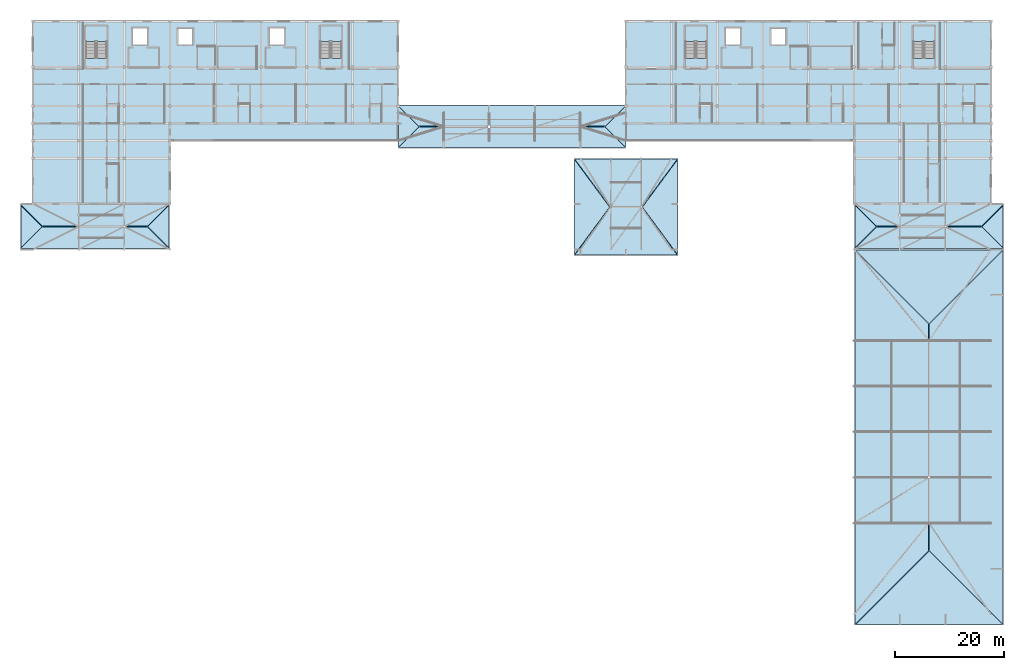
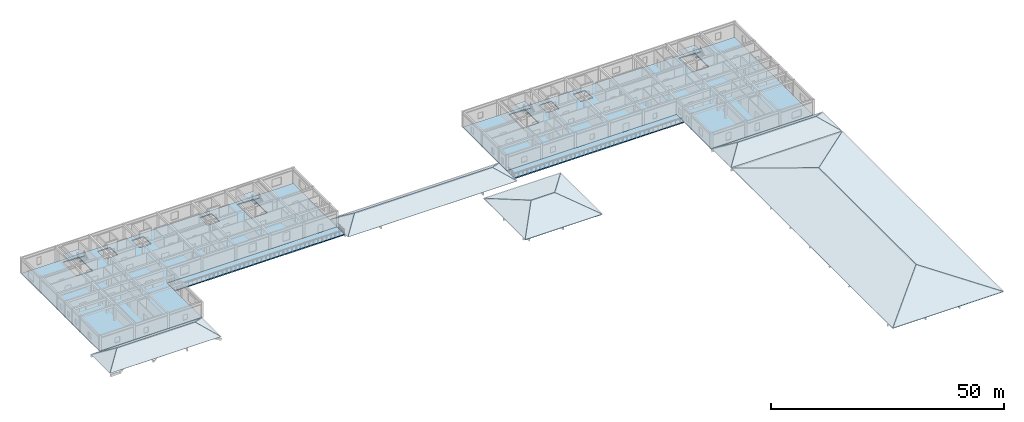
# One storey, part 7 of 26: 28 slabs, 4 elements without a shape of their own.
"""IFC4 building model written with IfcOpenShell, lengths in metres."""

from ifc_helpers import new_model, si_unit, direction, frame, origin, place, context, subcontext, project, spatial, polyline, outline, extrude, material, layer, layer_set, type_object, element, aggregate, save


model = new_model("IFC4")

# Units and contexts
model_context = context("Model", 3, precision=1e-05, world=origin(), true_north=direction((0.0, 1.0)))
body_context = subcontext(model_context, "Body", "Model", "MODEL_VIEW")
ifc_project = project(units=[si_unit("LENGTHUNIT", "METRE"), si_unit("AREAUNIT", "SQUARE_METRE"), si_unit("VOLUMEUNIT", "CUBIC_METRE"), si_unit("PLANEANGLEUNIT", "RADIAN"), si_unit("MASSUNIT", "GRAM", prefix="KILO")], contexts=[model_context])

# Site, building, storey
site_placement = place(None, origin())
site = spatial("IfcSite", under=ifc_project, at=site_placement, CompositionType="ELEMENT")
building_placement = place(site_placement, origin())
building = spatial("IfcBuilding", under=site, at=building_placement, Name="Varncliffe General Hospital", CompositionType="ELEMENT")
storey_placement = place(building_placement, frame((0.0, 0.0, 28.800048828125)))
storey = spatial("IfcBuildingStorey", under=building, at=storey_placement, Name="L06", CompositionType="ELEMENT", Elevation=28.800048828125)

# Slabs
ifc_material = material(Name="Concrete C35/45 (CSA A23.1 35 MPa)", Category="concrete")
ifc_layer_1 = layer(ifc_material, 0.280029296875)
ifc_layer_set_1 = layer_set([ifc_layer_1], Name="Concrete C35/45 (CSA A23.1 35 MPa)")
slab_type_1 = type_object("IfcSlabType", Name="Floor Slab SL23 (Ext 280mm)", PredefinedType="FLOOR", material=ifc_layer_set_1)
slab_1_placement = place(storey_placement, frame((0.0, 0.0, -0.280029296875)))
element("IfcSlab", 1, at=slab_1_placement, inside=storey, type_object=slab_type_1, Name="L06 West Step-2 Healing Roof Terrace", PredefinedType="FLOOR", context=body_context, shape_type="SweptSolid", body=[
    extrude(outline(polyline([(25.199951171875, 102.800048828125), (67.199951171875, 102.800048828125), (67.199951171875, 106.0), (25.199951171875, 106.0), (25.199951171875, 102.800048828125)])), origin(), (0.0, 0.0, 1.0), 0.280029296875),
])
slab_2_placement = place(storey_placement, frame((0.0, 0.0, -0.280029296875)))
element("IfcSlab", 2, at=slab_2_placement, inside=storey, type_object=slab_type_1, Name="L06 East Step-2 Healing Roof Terrace", PredefinedType="FLOOR", context=body_context, shape_type="SweptSolid", body=[
    extrude(outline(polyline([(109.199951171875, 102.800048828125), (151.199951171875, 102.800048828125), (151.199951171875, 106.0), (109.199951171875, 106.0), (109.199951171875, 102.800048828125)])), origin(), (0.0, 0.0, 1.0), 0.280029296875),
])
ifc_layer_2 = layer(ifc_material, 0.239990234375)
ifc_layer_set_2 = layer_set([ifc_layer_2], Name="Concrete C35/45 (CSA A23.1 35 MPa)")
slab_type_2 = type_object("IfcSlabType", Name="Floor Slab SL38 (Int 240mm)", PredefinedType="FLOOR", material=ifc_layer_set_2)
slab_3_placement = place(storey_placement, frame((0.0, 0.0, -0.239990234375)))
element("IfcSlab", 3, at=slab_3_placement, inside=storey, type_object=slab_type_2, Name="L06 V6 Structural Floor Slab 1", PredefinedType="FLOOR", context=body_context, shape_type="SweptSolid", body=[
    extrude(outline(polyline([(0.0, 106.0), (0.0, 124.800048828125), (67.199951171875, 124.800048828125), (67.199951171875, 106.0), (25.199951171875, 106.0), (25.199951171875, 91.199951171875), (0.0, 91.199951171875), (0.0, 106.0)]), holes=[polyline([(13.60009765625, 118.0), (13.60009765625, 123.949951171875), (9.699951171875, 123.949951171875), (9.699951171875, 118.0), (13.60009765625, 118.0)]), polyline([(56.800048828125, 118.0), (56.800048828125, 123.949951171875), (52.89990234375, 123.949951171875), (52.89990234375, 118.0), (56.800048828125, 118.0)]), polyline([(18.199951171875, 120.39990234375), (21.199951171875, 120.39990234375), (21.199951171875, 123.699951171875), (18.199951171875, 123.699951171875), (18.199951171875, 120.39990234375)]), polyline([(43.39990234375, 120.39990234375), (46.39990234375, 120.39990234375), (46.39990234375, 123.699951171875), (43.39990234375, 123.699951171875), (43.39990234375, 120.39990234375)]), polyline([(26.60009765625, 120.39990234375), (29.5, 120.39990234375), (29.5, 123.60009765625), (26.60009765625, 123.60009765625), (26.60009765625, 120.39990234375)])]), origin(), (0.0, 0.0, 1.0), 0.239990234375),
])
slab_4_placement = place(storey_placement, frame((0.0, 0.0, -0.239990234375)))
element("IfcSlab", 4, at=slab_4_placement, inside=storey, type_object=slab_type_2, Name="L06 V6 Structural Floor Slab 2", PredefinedType="FLOOR", context=body_context, shape_type="SweptSolid", body=[
    extrude(outline(polyline([(151.199951171875, 106.0), (109.199951171875, 106.0), (109.199951171875, 124.800048828125), (176.39990234375, 124.800048828125), (176.39990234375, 106.0), (176.39990234375, 91.199951171875), (151.199951171875, 91.199951171875), (151.199951171875, 106.0)]), holes=[polyline([(124.0, 118.0), (124.0, 123.949951171875), (120.10009765625, 123.949951171875), (120.10009765625, 118.0), (124.0, 118.0)]), polyline([(166.0, 118.0), (166.0, 123.949951171875), (162.10009765625, 123.949951171875), (162.10009765625, 118.0), (166.0, 118.0)]), polyline([(127.39990234375, 120.39990234375), (130.39990234375, 120.39990234375), (130.39990234375, 123.699951171875), (127.39990234375, 123.699951171875), (127.39990234375, 120.39990234375)]), polyline([(135.800048828125, 120.39990234375), (138.699951171875, 120.39990234375), (138.699951171875, 123.60009765625), (135.800048828125, 123.60009765625), (135.800048828125, 120.39990234375)])]), origin(), (0.0, 0.0, 1.0), 0.239990234375),
])

# Stair, slab
stair_type = type_object("IfcStairType", Name="Hospital Stair Assembly ST-T03 (1850w-4200h)", PredefinedType="TWO_STRAIGHT_RUN_STAIR", material=ifc_material)
stair_1_placement = place(storey_placement, origin())
stair_1 = element("IfcStair", 5, at=stair_1_placement, inside=storey, type_object=stair_type, Name="L06 North-West Ward Exit Stair 1", PredefinedType="TWO_STRAIGHT_RUN_STAIR")
ifc_layer_3 = layer(ifc_material, 0.199951171875)
ifc_layer_set_3 = layer_set([ifc_layer_3], Name="Concrete C35/45 (CSA A23.1 35 MPa)")
slab_type_3 = type_object("IfcSlabType", Name="Reinforced Concrete Stair Landing LND50 (200mm)", PredefinedType="LANDING", material=ifc_layer_set_3)
slab_5_placement = place(storey_placement, frame((0.0, 0.0, 1.89990234375)))
slab_5 = element("IfcSlab", 6, at=slab_5_placement, type_object=slab_type_3, Name="ST01 landing 1", PredefinedType="LANDING", context=body_context, shape_type="SweptSolid", body=[
    extrude(outline(polyline([(13.60009765625, 121.080078125), (13.60009765625, 123.949951171875), (9.699951171875, 123.949951171875), (9.699951171875, 121.080078125), (13.60009765625, 121.080078125)])), origin(), (0.0, 0.0, 1.0), 0.199951171875),
])
aggregate(stair_1, [slab_5])

stair_2_placement = place(storey_placement, origin())
stair_2 = element("IfcStair", 7, at=stair_2_placement, inside=storey, type_object=stair_type, Name="L06 North-West Ward Exit Stair 2", PredefinedType="TWO_STRAIGHT_RUN_STAIR")
slab_6_placement = place(storey_placement, frame((0.0, 0.0, 1.89990234375)))
slab_6 = element("IfcSlab", 8, at=slab_6_placement, type_object=slab_type_3, Name="ST02 landing 1", PredefinedType="LANDING", context=body_context, shape_type="SweptSolid", body=[
    extrude(outline(polyline([(56.800048828125, 121.080078125), (56.800048828125, 123.949951171875), (52.89990234375, 123.949951171875), (52.89990234375, 121.080078125), (56.800048828125, 121.080078125)])), origin(), (0.0, 0.0, 1.0), 0.199951171875),
])
aggregate(stair_2, [slab_6])

stair_3_placement = place(storey_placement, origin())
stair_3 = element("IfcStair", 9, at=stair_3_placement, inside=storey, type_object=stair_type, Name="L06 North-East Ward Exit Stair 3", PredefinedType="TWO_STRAIGHT_RUN_STAIR")
slab_7_placement = place(storey_placement, frame((0.0, 0.0, 1.89990234375)))
slab_7 = element("IfcSlab", 10, at=slab_7_placement, type_object=slab_type_3, Name="ST03 landing 1", PredefinedType="LANDING", context=body_context, shape_type="SweptSolid", body=[
    extrude(outline(polyline([(124.0, 121.080078125), (124.0, 123.949951171875), (120.10009765625, 123.949951171875), (120.10009765625, 121.080078125), (124.0, 121.080078125)])), origin(), (0.0, 0.0, 1.0), 0.199951171875),
])
aggregate(stair_3, [slab_7])

stair_4_placement = place(storey_placement, origin())
stair_4 = element("IfcStair", 11, at=stair_4_placement, inside=storey, type_object=stair_type, Name="L06 North-East Ward Exit Stair 4", PredefinedType="TWO_STRAIGHT_RUN_STAIR")
slab_8_placement = place(storey_placement, frame((0.0, 0.0, 1.89990234375)))
slab_8 = element("IfcSlab", 12, at=slab_8_placement, type_object=slab_type_3, Name="ST04 landing 1", PredefinedType="LANDING", context=body_context, shape_type="SweptSolid", body=[
    extrude(outline(polyline([(166.0, 121.080078125), (166.0, 123.949951171875), (162.10009765625, 123.949951171875), (162.10009765625, 121.080078125), (166.0, 121.080078125)])), origin(), (0.0, 0.0, 1.0), 0.199951171875),
])
aggregate(stair_4, [slab_8])

# Slabs
ifc_layer_4 = layer(ifc_material, 0.219970703125)
ifc_layer_set_4 = layer_set([ifc_layer_4], Name="Concrete C35/45 (CSA A23.1 35 MPa)")
slab_type_4 = type_object("IfcSlabType", Name="Roof Slab SL11 (Ext 220mm)", PredefinedType="ROOF", material=ifc_layer_set_4)
slab_9_placement = place(storey_placement, frame((99.739990234375, 81.739990234375, 0.0), z_axis=(0.0, -0.281568913305, 0.959541008535), x_axis=(1.0, 0.0, 0.0)))
element("IfcSlab", 13, at=slab_9_placement, inside=storey, type_object=slab_type_4, Name="L06 RF-V4-PH Hipped Roof Slab S", PredefinedType="ROOF", context=body_context, shape_type="SweptSolid", body=[
    extrude(outline(polyline([(0.0, 0.0), (18.919921875, 0.0), (12.423583984375, 9.116398898997929), (6.49658203125, 9.116398898997929), (0.0, 0.0)])), origin(), (0.0, 0.0, -1.0), 0.219970703125),
])
slab_10_placement = place(storey_placement, frame((118.659912109375, 99.4599609375, 0.0), z_axis=(0.0, 0.281568913305, 0.959541008535), x_axis=(-1.0, 0.0, 0.0)))
element("IfcSlab", 14, at=slab_10_placement, inside=storey, type_object=slab_type_4, Name="L06 RF-V4-PH Hipped Roof Slab N", PredefinedType="ROOF", context=body_context, shape_type="SweptSolid", body=[
    extrude(outline(polyline([(0.0, 0.0), (18.919921875, 0.0), (12.42333984375, 9.116398898997929), (6.496337890625, 9.116398898997929), (0.0, 0.0)])), origin(), (0.0, 0.0, -1.0), 0.219970703125),
])
slab_11_placement = place(storey_placement, frame((99.739990234375, 99.320068359375, 0.0), z_axis=(-0.367490823947, 0.0, 0.930027147085), x_axis=(0.0, -1.0, 0.0)))
element("IfcSlab", 15, at=slab_11_placement, inside=storey, type_object=slab_type_4, Name="L06 RF-V4-PH Hipped Roof Slab W", PredefinedType="ROOF", context=body_context, shape_type="SweptSolid", body=[
    extrude(outline(polyline([(0.0, 0.0), (17.440185546875, 0.0), (8.719970703125, 6.924466050733234), (0.0, 0.0)])), origin(), (0.0, 0.0, -1.0), 0.219970703125),
])
slab_12_placement = place(storey_placement, frame((118.659912109375, 81.8798828125, 0.0), z_axis=(0.367490823947, 0.0, 0.930027147085), x_axis=(0.0, 1.0, 0.0)))
element("IfcSlab", 16, at=slab_12_placement, inside=storey, type_object=slab_type_4, Name="L06 RF-V4-PH Hipped Roof Slab E", PredefinedType="ROOF", context=body_context, shape_type="SweptSolid", body=[
    extrude(outline(polyline([(0.0, 0.0), (17.440185546875, 0.0), (8.72021484375, 6.924466050733234), (0.0, 0.0)])), origin(), (0.0, 0.0, -1.0), 0.219970703125),
])
for number, where, z_axis, x_axis, name in (
    (17, (67.340087890625, 101.5400390625, 0.0), (0.0, -0.558644978029, 0.829406889604), (1.0, 0.0, 0.0), "L06 RF-V6-LINK Hipped Roof Slab S"),
    (18, (109.06005859375, 109.260009765625, 0.0), (0.0, 0.558644978029, 0.829406889604), (-1.0, 0.0, 0.0), "L06 RF-V6-LINK Hipped Roof Slab N"),
):
    element("IfcSlab", number, at=place(storey_placement, frame(where, z_axis=z_axis, x_axis=x_axis)), inside=storey, type_object=slab_type_4, Name=name, PredefinedType="ROOF", context=body_context, shape_type="SweptSolid", body=[
        extrude(outline(polyline([(0.0, 0.0), (41.719970703125, 0.0), (37.958984375, 4.534549176362843), (3.760986328125, 4.534549176362843), (0.0, 0.0)])), origin(), (0.0, 0.0, -1.0), 0.219970703125),
    ])
slab_13_placement = place(storey_placement, frame((67.340087890625, 109.1201171875, 0.0), z_axis=(-0.558650819099, 0.0, 0.829402955336), x_axis=(0.0, -1.0, 0.0)))
element("IfcSlab", 19, at=slab_13_placement, inside=storey, type_object=slab_type_4, Name="L06 RF-V6-LINK Hipped Roof Slab W", PredefinedType="ROOF", context=body_context, shape_type="SweptSolid", body=[
    extrude(outline(polyline([(0.0, 0.0), (7.440185546875, 0.0), (3.72021484375, 4.4851186979655715), (0.0, 0.0)])), origin(), (0.0, 0.0, -1.0), 0.219970703125),
])
slab_14_placement = place(storey_placement, frame((109.06005859375, 101.679931640625, 0.0), z_axis=(0.558650819099, 0.0, 0.829402955336), x_axis=(0.0, 1.0, 0.0)))
element("IfcSlab", 20, at=slab_14_placement, inside=storey, type_object=slab_type_4, Name="L06 RF-V6-LINK Hipped Roof Slab E", PredefinedType="ROOF", context=body_context, shape_type="SweptSolid", body=[
    extrude(outline(polyline([(0.0, 0.0), (7.440185546875, 0.0), (3.719970703125, 4.4851186979655715), (0.0, 0.0)])), origin(), (0.0, 0.0, -1.0), 0.219970703125),
])
for number, where, z_axis, x_axis, name in (
    (21, (151.340087890625, 82.93994140625, 0.0), (0.0, -0.567734141517, 0.823211968181), (1.0, 0.0, 0.0), "L06 RF-V6-SE1 Hipped Roof Slab S"),
    (22, (178.659912109375, 91.06005859375, 0.0), (0.0, 0.567734141517, 0.823211968181), (-1.0, 0.0, 0.0), "L06 RF-V6-SE1 Hipped Roof Slab N"),
):
    element("IfcSlab", number, at=place(storey_placement, frame(where, z_axis=z_axis, x_axis=x_axis)), inside=storey, type_object=slab_type_4, Name=name, PredefinedType="ROOF", context=body_context, shape_type="SweptSolid", body=[
        extrude(outline(polyline([(0.0, 0.0), (27.31982421875, 0.0), (23.35888671875, 4.811564521776739), (3.9609375, 4.811564521776739), (0.0, 0.0)])), origin(), (0.0, 0.0, -1.0), 0.219970703125),
    ])
for number, where, z_axis, x_axis, name in (
    (23, (151.340087890625, 90.919921875, 0.0), (-0.567729361422, 0.0, 0.823215264788), (0.0, -1.0, 0.0), "L06 RF-V6-SE1 Hipped Roof Slab W"),
    (24, (178.659912109375, 83.080078125, 0.0), (0.567729361422, 0.0, 0.823215264788), (0.0, 1.0, 0.0), "L06 RF-V6-SE1 Hipped Roof Slab E"),
):
    element("IfcSlab", number, at=place(storey_placement, frame(where, z_axis=z_axis, x_axis=x_axis)), inside=storey, type_object=slab_type_4, Name=name, PredefinedType="ROOF", context=body_context, shape_type="SweptSolid", body=[
        extrude(outline(polyline([(0.0, 0.0), (7.83984375, 0.0), (3.919921875, 4.761721560169921), (0.0, 0.0)])), origin(), (0.0, 0.0, -1.0), 0.219970703125),
    ])
ifc_layer_5 = layer(ifc_material, 0.199951171875)
ifc_layer_set_5 = layer_set([ifc_layer_5], Name="Concrete C35/45 (CSA A23.1 35 MPa)")
slab_type_5 = type_object("IfcSlabType", Name="Roof Slab SL43 (Ext 200mm)", PredefinedType="ROOF", material=ifc_layer_set_5)
slab_15_placement = place(storey_placement, frame((151.340087890625, 82.659912109375, 0.0), z_axis=(-0.25483348137, 0.0, 0.966984951679), x_axis=(0.0, -1.0, 0.0)))
element("IfcSlab", 25, at=slab_15_placement, inside=storey, type_object=slab_type_5, Name="L06 RF-V5-E Hipped Roof Slab W", PredefinedType="ROOF", context=body_context, shape_type="SweptSolid", body=[
    extrude(outline(polyline([(0.0, 0.0), (68.919921875, 0.0), (55.35888671875, 14.023787021797206), (13.560791015625, 14.023787021797206), (0.0, 0.0)])), origin(), (0.0, 0.0, -1.0), 0.199951171875),
])
slab_16_placement = place(storey_placement, frame((178.659912109375, 13.739990234375, 0.0), z_axis=(0.25483348137, 0.0, 0.966984951679), x_axis=(0.0, 1.0, 0.0)))
element("IfcSlab", 26, at=slab_16_placement, inside=storey, type_object=slab_type_5, Name="L06 RF-V5-E Hipped Roof Slab E", PredefinedType="ROOF", context=body_context, shape_type="SweptSolid", body=[
    extrude(outline(polyline([(0.0, 0.0), (68.919921875, 0.0), (55.359130859375, 14.023787021797206), (13.56103515625, 14.023787021797206), (0.0, 0.0)])), origin(), (0.0, 0.0, -1.0), 0.199951171875),
])
for number, where, z_axis, x_axis, name in (
    (27, (151.47998046875, 13.739990234375, 0.0), (0.0, -0.254833647747, 0.966984907833), (1.0, 0.0, 0.0), "L06 RF-V5-E Hipped Roof Slab S"),
    (28, (178.52001953125, 82.659912109375, 0.0), (0.0, 0.254833647747, 0.966984907833), (-1.0, 0.0, 0.0), "L06 RF-V5-E Hipped Roof Slab N"),
):
    element("IfcSlab", number, at=place(storey_placement, frame(where, z_axis=z_axis, x_axis=x_axis)), inside=storey, type_object=slab_type_5, Name=name, PredefinedType="ROOF", context=body_context, shape_type="SweptSolid", body=[
        extrude(outline(polyline([(0.0, 0.0), (27.0400390625, 0.0), (13.52001953125, 13.981624140911038), (0.0, 0.0)])), origin(), (0.0, 0.0, -1.0), 0.199951171875),
    ])
for number, where, z_axis, x_axis, name in (
    (29, (-2.260009765625, 82.93994140625, 0.0), (0.0, -0.567734141517, 0.823211968181), (1.0, 0.0, 0.0), "L06 RF-V6-SW1 Hipped Roof Slab S"),
    (30, (25.06005859375, 91.06005859375, 0.0), (0.0, 0.567734141517, 0.823211968181), (-1.0, 0.0, 0.0), "L06 RF-V6-SW1 Hipped Roof Slab N"),
):
    element("IfcSlab", number, at=place(storey_placement, frame(where, z_axis=z_axis, x_axis=x_axis)), inside=storey, type_object=slab_type_5, Name=name, PredefinedType="ROOF", context=body_context, shape_type="SweptSolid", body=[
        extrude(outline(polyline([(0.0, 0.0), (27.320068359375, 0.0), (23.359130859375, 4.811564521776738), (3.9609375, 4.811564521776738), (0.0, 0.0)])), origin(), (0.0, 0.0, -1.0), 0.199951171875),
    ])
slab_17_placement = place(storey_placement, frame((-2.260009765625, 90.919921875, 0.0), z_axis=(-0.567729361422, 0.0, 0.823215264788), x_axis=(0.0, -1.0, 0.0)))
element("IfcSlab", 31, at=slab_17_placement, inside=storey, type_object=slab_type_5, Name="L06 RF-V6-SW1 Hipped Roof Slab W", PredefinedType="ROOF", context=body_context, shape_type="SweptSolid", body=[
    extrude(outline(polyline([(0.0, 0.0), (7.83984375, 0.0), (3.919921875, 4.761721560169921), (0.0, 0.0)])), origin(), (0.0, 0.0, -1.0), 0.199951171875),
])
slab_18_placement = place(storey_placement, frame((25.06005859375, 83.080078125, 0.0), z_axis=(0.567705399765, 0.0, 0.8232317894), x_axis=(0.0, 1.0, 0.0)))
element("IfcSlab", 32, at=slab_18_placement, inside=storey, type_object=slab_type_5, Name="L06 RF-V6-SW1 Hipped Roof Slab E", PredefinedType="ROOF", context=body_context, shape_type="SweptSolid", body=[
    extrude(outline(polyline([(0.0, 0.0), (7.83984375, 0.0), (3.919921875, 4.761922542476383), (0.0, 0.0)])), origin(), (0.0, 0.0, -1.0), 0.199951171875),
])

save(model, "model.ifc")
